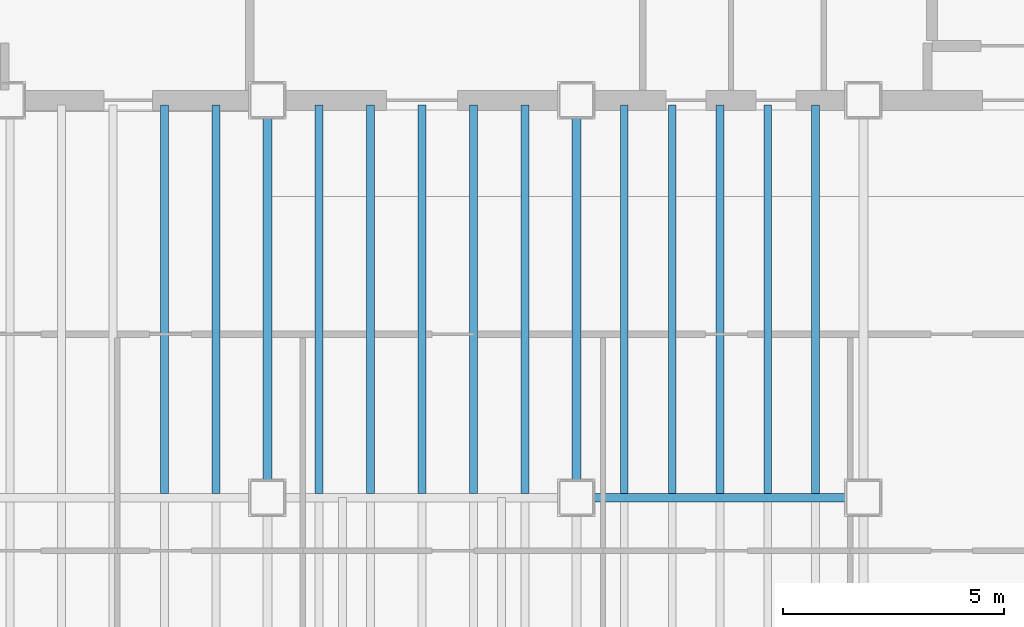
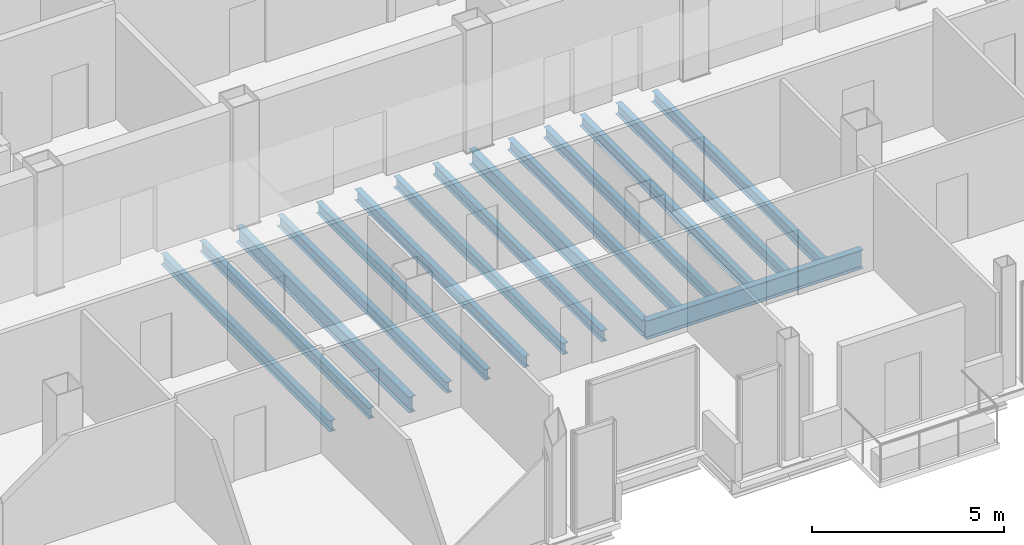
# One storey, part 7 of 17: 15 beams.
"""IFC4 building model written with IfcOpenShell, lengths in metres."""

from ifc_helpers import new_model, si_unit, direction, frame, origin, origin_2d, place, context, subcontext, project, spatial, i_section, extrude, material, material_profile, profile_set, type_object, element, save


model = new_model("IFC4")

# Units and contexts
model_context = context("Model", 3, precision=1e-05, world=origin(), true_north=direction((0.0, 1.0)))
body_context = subcontext(model_context, "Body", "Model", "MODEL_VIEW")
ifc_project = project(units=[si_unit("LENGTHUNIT", "METRE"), si_unit("AREAUNIT", "SQUARE_METRE"), si_unit("VOLUMEUNIT", "CUBIC_METRE"), si_unit("PLANEANGLEUNIT", "RADIAN"), si_unit("MASSUNIT", "GRAM", prefix="KILO")], contexts=[model_context])

# Site, building, storey
site_placement = place(None, origin())
site = spatial("IfcSite", under=ifc_project, at=site_placement, CompositionType="ELEMENT")
building_placement = place(site_placement, origin())
building = spatial("IfcBuilding", under=site, at=building_placement, Name="Noeulbin Bourse Tower", CompositionType="ELEMENT")
storey_placement = place(building_placement, frame((0.0, 0.0, 242.300048828125)))
storey = spatial("IfcBuildingStorey", under=building, at=storey_placement, Name="L60", CompositionType="ELEMENT", Elevation=242.300048828125)

# Beams
ifc_material = material(Name="Steel S355", Category="steel")
ifc_material_profile_1 = material_profile(ifc_material, i_section(OverallWidth=0.199951171875, OverallDepth=0.5, WebThickness=0.010009765625, FlangeThickness=0.01611328125, FilletRadius=0.02001953125, at=origin_2d()), Name="H-500x200x10x16", Category="LoadBearing")
ifc_profile_set_1 = profile_set([ifc_material_profile_1], Name="Steel S355")
beam_type_1 = type_object("IfcBeamType", Name="BM-GRD-500", PredefinedType="USERDEFINED", material=ifc_profile_set_1)
for number, where, z_axis, x_axis, name in (
    (1, (24.0, 20.0, -0.429931640625), (0.0, 1.0, 0.0), (-1.0, 0.0, 0.0), "Tower Primary Girder NS L60-2.2"),
    (2, (31.0, 20.0, -0.429931640625), (0.0, 1.0, 0.0), (-1.0, 0.0, 0.0), "Tower Primary Girder NS L60-3.2"),
):
    element("IfcBeam", number, at=place(storey_placement, frame(where, z_axis=z_axis, x_axis=x_axis)), inside=storey, type_object=beam_type_1, Name=name, ObjectType="GIRDER", PredefinedType="USERDEFINED", context=body_context, shape_type="SweptSolid", body=[
        extrude(i_section(OverallWidth=0.199951171875, OverallDepth=0.5, WebThickness=0.010009765625, FlangeThickness=0.01611328125, FilletRadius=0.02001953125, at=origin_2d()), origin(), (0.0, 0.0, 1.0), 9.0),
    ])
ifc_material_profile_2 = material_profile(ifc_material, i_section(OverallWidth=0.199951171875, OverallDepth=0.60009765625, WebThickness=0.010986328125, FlangeThickness=0.01708984375, FilletRadius=0.02197265625, at=origin_2d()), Name="H-600x200x11x17", Category="LoadBearing")
ifc_profile_set_2 = profile_set([ifc_material_profile_2], Name="Steel S355")
beam_type_2 = type_object("IfcBeamType", Name="BM-GRD-600", PredefinedType="USERDEFINED", material=ifc_profile_set_2)
beam_placement = place(storey_placement, frame((31.0, 20.0, -0.47998046875), z_axis=(1.0, 0.0, 0.0), x_axis=(0.0, 1.0, 0.0)))
element("IfcBeam", 3, at=beam_placement, inside=storey, type_object=beam_type_2, Name="Tower Primary Girder EW L60-1.4", ObjectType="GIRDER", PredefinedType="USERDEFINED", context=body_context, shape_type="SweptSolid", body=[
    extrude(i_section(OverallWidth=0.199951171875, OverallDepth=0.60009765625, WebThickness=0.010986328125, FlangeThickness=0.01708984375, FilletRadius=0.02197265625, at=origin_2d()), origin(), (0.0, 0.0, 1.0), 6.5),
])
ifc_material_profile_3 = material_profile(ifc_material, i_section(OverallWidth=0.175048828125, OverallDepth=0.35009765625, WebThickness=0.007080078125, FlangeThickness=0.010986328125, FilletRadius=0.013916015625, at=origin_2d()), Name="H-350x175x7x11", Category="LoadBearing")
ifc_profile_set_3 = profile_set([ifc_material_profile_3], Name="Steel S355")
beam_type_3 = type_object("IfcBeamType", Name="BM-JST-350", PredefinedType="JOIST", material=ifc_profile_set_3)
for number, where, z_axis, x_axis, name in (
    (4, (21.666748046875, 20.10009765625, -0.35498046875), (0.0, 1.0, 0.0), (-1.0, 0.0, 0.0), "Tower Composite Joist L60-14"),
    (5, (22.833251953125, 20.10009765625, -0.35498046875), (0.0, 1.0, 0.0), (-1.0, 0.0, 0.0), "Tower Composite Joist L60-16"),
    (6, (25.166748046875, 20.10009765625, -0.35498046875), (0.0, 1.0, 0.0), (-1.0, 0.0, 0.0), "Tower Composite Joist L60-18"),
    (7, (26.333251953125, 20.10009765625, -0.35498046875), (0.0, 1.0, 0.0), (-1.0, 0.0, 0.0), "Tower Composite Joist L60-20"),
    (8, (27.5, 20.10009765625, -0.35498046875), (0.0, 1.0, 0.0), (-1.0, 0.0, 0.0), "Tower Composite Joist L60-22"),
    (9, (28.666748046875, 20.10009765625, -0.35498046875), (0.0, 1.0, 0.0), (-1.0, 0.0, 0.0), "Tower Composite Joist L60-24"),
    (10, (29.833251953125, 20.10009765625, -0.35498046875), (0.0, 1.0, 0.0), (-1.0, 0.0, 0.0), "Tower Composite Joist L60-26"),
    (11, (32.083251953125, 20.10009765625, -0.35498046875), (0.0, 1.0, 0.0), (-1.0, 0.0, 0.0), "Tower Composite Joist L60-28"),
    (12, (33.166748046875, 20.10009765625, -0.35498046875), (0.0, 1.0, 0.0), (-1.0, 0.0, 0.0), "Tower Composite Joist L60-30"),
    (13, (34.25, 20.10009765625, -0.35498046875), (0.0, 1.0, 0.0), (-1.0, 0.0, 0.0), "Tower Composite Joist L60-32"),
    (14, (35.333251953125, 20.10009765625, -0.35498046875), (0.0, 1.0, 0.0), (-1.0, 0.0, 0.0), "Tower Composite Joist L60-34"),
    (15, (36.416748046875, 20.10009765625, -0.35498046875), (0.0, 1.0, 0.0), (-1.0, 0.0, 0.0), "Tower Composite Joist L60-36"),
):
    element("IfcBeam", number, at=place(storey_placement, frame(where, z_axis=z_axis, x_axis=x_axis)), inside=storey, type_object=beam_type_3, Name=name, PredefinedType="JOIST", context=body_context, shape_type="SweptSolid", body=[
        extrude(i_section(OverallWidth=0.175048828125, OverallDepth=0.35009765625, WebThickness=0.007080078125, FlangeThickness=0.010986328125, FilletRadius=0.013916015625, at=origin_2d()), origin(), (0.0, 0.0, 1.0), 8.7998046875),
    ])

save(model, "model.ifc")
